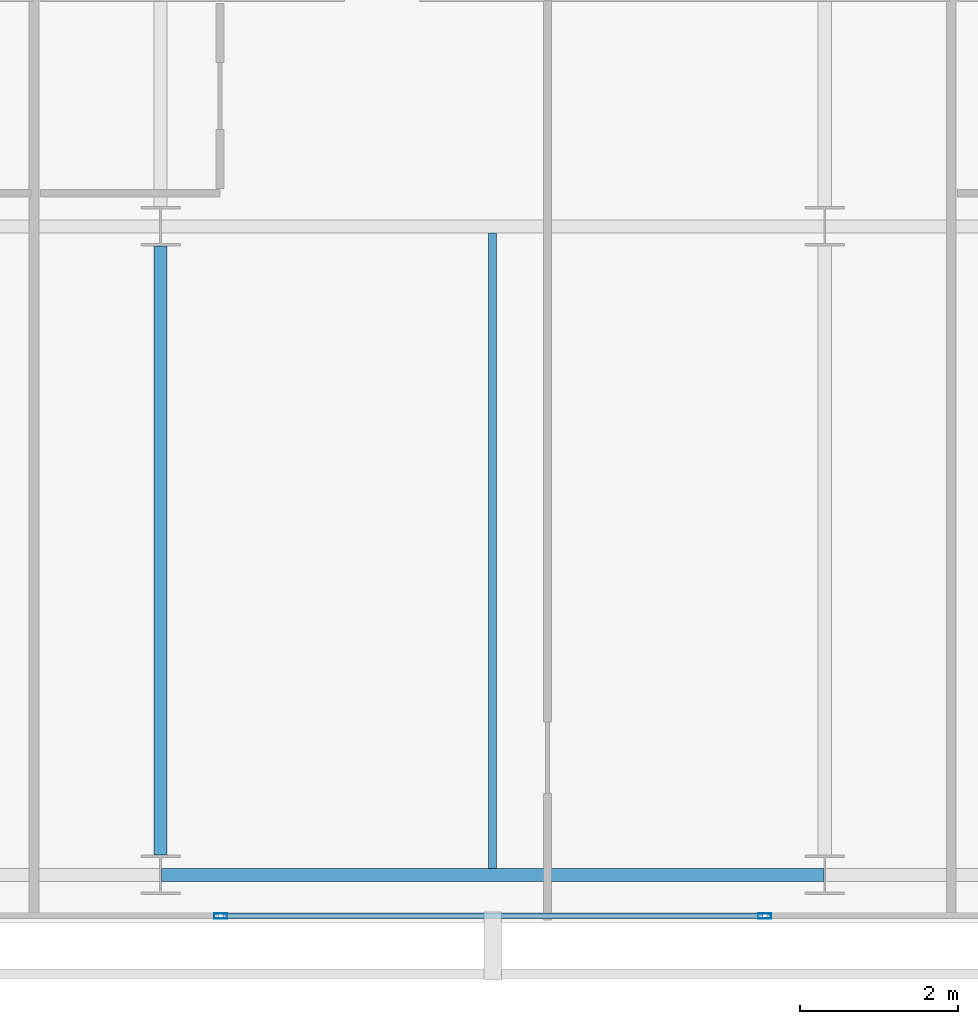
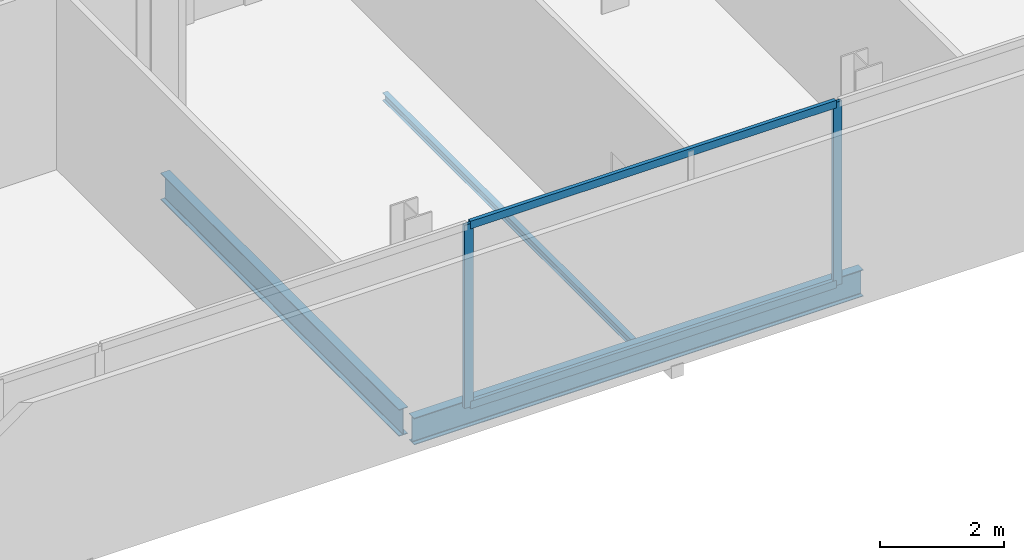
# One storey, part 6 of 26: 4 members, 3 beams, 1 element without a shape of its own.
"""IFC4 building model written with IfcOpenShell, lengths in metres."""

from ifc_helpers import new_model, si_unit, direction, frame, origin, origin_2d, place, context, subcontext, project, spatial, hollow_rectangle, i_section, extrude, material, layer, layer_set, material_profile, profile_set, type_object, element, aggregate, save


model = new_model("IFC4")

# Units and contexts
model_context = context("Model", 3, precision=1e-05, world=origin(), true_north=direction((0.0, 1.0)))
body_context = subcontext(model_context, "Body", "Model", "MODEL_VIEW")
ifc_project = project(units=[si_unit("LENGTHUNIT", "METRE"), si_unit("AREAUNIT", "SQUARE_METRE"), si_unit("VOLUMEUNIT", "CUBIC_METRE"), si_unit("PLANEANGLEUNIT", "RADIAN"), si_unit("MASSUNIT", "GRAM", prefix="KILO")], contexts=[model_context])

# Site, building, storey
site_placement = place(None, origin())
site = spatial("IfcSite", under=ifc_project, at=site_placement, CompositionType="ELEMENT")
building_placement = place(site_placement, origin())
building = spatial("IfcBuilding", under=site, at=building_placement, Name="Maruvema Waterfront Hotel and Observation Tower", CompositionType="ELEMENT")
storey_placement = place(building_placement, frame((0.0, 0.0, 301.0)))
storey = spatial("IfcBuildingStorey", under=building, at=storey_placement, Name="L74", CompositionType="ELEMENT", Elevation=301.0)

# Curtain wall, members
ifc_material_1 = material(Name="Anodised bronze aluminium and solar-control low-E IGU", Category="aluminium")
ifc_layer = layer(ifc_material_1, 0.159912109375, Name="Zone 3 Champagne Inner Thermal Curtain Wall System CW-04")
ifc_layer_set = layer_set([ifc_layer], Name="Anodised bronze aluminium and solar-control low-E IGU")
curtain_wall_type = type_object("IfcCurtainWallType", Name="Zone 3 Champagne Inner Thermal Curtain Wall System CW-04", PredefinedType="USERDEFINED", material=ifc_layer_set)
curtain_wall_placement = place(storey_placement, origin())
curtain_wall = element("IfcCurtainWall", 1, at=curtain_wall_placement, inside=storey, type_object=curtain_wall_type, Name="L74 Curtain Wall CW-L74-S", ObjectType="UNITISED CURTAIN WALL", PredefinedType="USERDEFINED")
ifc_material_2 = material(Name="Anodised architectural bronze aluminium", Category="aluminium")
ifc_material_profile_1 = material_profile(ifc_material_2, hollow_rectangle(XDim=0.070068359375, YDim=0.14990234375, WallThickness=0.00390625, at=origin_2d()), Name="ALU-T70x150")
ifc_profile_set_1 = profile_set([ifc_material_profile_1], Name="Anodised architectural bronze aluminium")
member_type_1 = type_object("IfcMemberType", Name="Curtain Wall Horizontal Transom ALU-T70x150", PredefinedType="USERDEFINED", material=ifc_profile_set_1)
member_1_placement = place(storey_placement, frame((34.389892578125, 9.280029296875, 0.030029296875), z_axis=(1.0, 0.0, 0.0), x_axis=(0.0, 1.0, 0.0)))
member_1 = element("IfcMember", 2, at=member_1_placement, type_object=member_type_1, Name="CW-04 transom 3.1", ObjectType="TRANSOM", PredefinedType="USERDEFINED", context=body_context, shape_type="SweptSolid", body=[
    extrude(hollow_rectangle(XDim=0.070068359375, YDim=0.14990234375, WallThickness=0.00390625, at=origin_2d()), origin(), (0.0, 0.0, 1.0), 6.820068359375),
])
member_2_placement = place(storey_placement, frame((34.389892578125, 9.280029296875, 3.580078125), z_axis=(1.0, 0.0, 0.0), x_axis=(0.0, 1.0, 0.0)))
member_2 = element("IfcMember", 3, at=member_2_placement, type_object=member_type_1, Name="CW-04 transom 3.2", ObjectType="TRANSOM", PredefinedType="USERDEFINED", context=body_context, shape_type="SweptSolid", body=[
    extrude(hollow_rectangle(XDim=0.070068359375, YDim=0.14990234375, WallThickness=0.00390625, at=origin_2d()), origin(), (0.0, 0.0, 1.0), 6.820068359375),
])
ifc_material_3 = material(Name="Anodised architectural bronze aluminium", Category="aluminium")
ifc_material_profile_2 = material_profile(ifc_material_3, hollow_rectangle(XDim=0.06494140625, YDim=0.1650390625, WallThickness=0.00390625, at=origin_2d()), Name="ALU-M65x165")
ifc_profile_set_2 = profile_set([ifc_material_profile_2], Name="Anodised architectural bronze aluminium")
member_type_2 = type_object("IfcMemberType", Name="Curtain Wall Primary Mullion ALU-M65x165", PredefinedType="MULLION", material=ifc_profile_set_2)
member_3_placement = place(storey_placement, frame((34.360107421875, 9.280029296875, 0.0), z_axis=(0.0, 0.0, 1.0), x_axis=(0.0, 1.0, 0.0)))
member_3 = element("IfcMember", 4, at=member_3_placement, type_object=member_type_2, Name="CW-04 mullion 3", PredefinedType="MULLION", context=body_context, shape_type="SweptSolid", body=[
    extrude(hollow_rectangle(XDim=0.06494140625, YDim=0.1650390625, WallThickness=0.00390625, at=origin_2d()), origin(), (0.0, 0.0, 1.0), 3.610107421875),
])
member_4_placement = place(storey_placement, frame((41.239990234375, 9.280029296875, 0.0), z_axis=(0.0, 0.0, 1.0), x_axis=(0.0, 1.0, 0.0)))
member_4 = element("IfcMember", 5, at=member_4_placement, type_object=member_type_2, Name="CW-04 mullion 4", PredefinedType="MULLION", context=body_context, shape_type="SweptSolid", body=[
    extrude(hollow_rectangle(XDim=0.06494140625, YDim=0.1650390625, WallThickness=0.00390625, at=origin_2d()), origin(), (0.0, 0.0, 1.0), 3.610107421875),
])
aggregate(curtain_wall, [member_3, member_4, member_1, member_2])

# Beams
ifc_material_4 = material(Name="Steel ASTM A572 Grade 50", Category="steel")
ifc_material_profile_3 = material_profile(ifc_material_4, i_section(OverallWidth=0.166015625, OverallDepth=0.529052734375, WebThickness=0.009765625, FlangeThickness=0.013671875, FilletRadius=0.014892578125, at=origin_2d()), Name="W530x74.0")
ifc_profile_set_3 = profile_set([ifc_material_profile_3], Name="Steel ASTM A572 Grade 50")
beam_type_1 = type_object("IfcBeamType", Name="Primary Floor Girder W530x74.0", PredefinedType="BEAM", material=ifc_profile_set_3)
beam_1_placement = place(storey_placement, frame((33.611083984375, 9.800048828125, -0.50439453125), z_axis=(1.0, 0.0, 0.0), x_axis=(0.0, 1.0, 0.0)))
element("IfcBeam", 6, at=beam_1_placement, inside=storey, type_object=beam_type_1, Name="L74 Floor Girder EW-02", PredefinedType="BEAM", context=body_context, shape_type="SweptSolid", body=[
    extrude(i_section(OverallWidth=0.166015625, OverallDepth=0.529052734375, WebThickness=0.009765625, FlangeThickness=0.013671875, FilletRadius=0.014892578125, at=origin_2d()), origin(), (0.0, 0.0, 1.0), 8.3779296875),
])
beam_2_placement = place(storey_placement, frame((33.60009765625, 10.050048828125, -0.50439453125), z_axis=(0.0, 1.0, 0.0), x_axis=(-1.0, 0.0, 0.0)))
element("IfcBeam", 7, at=beam_2_placement, inside=storey, type_object=beam_type_1, Name="L74 Floor Girder NS-08", PredefinedType="BEAM", context=body_context, shape_type="SweptSolid", body=[
    extrude(i_section(OverallWidth=0.166015625, OverallDepth=0.529052734375, WebThickness=0.009765625, FlangeThickness=0.013671875, FilletRadius=0.014892578125, at=origin_2d()), origin(), (0.0, 0.0, 1.0), 7.699951171875),
])
ifc_material_5 = material(Name="Steel ASTM A572 Grade 50", Category="steel")
ifc_material_profile_4 = material_profile(ifc_material_5, i_section(OverallWidth=0.10009765625, OverallDepth=0.153076171875, WebThickness=0.005859375, FlangeThickness=0.007080078125, FilletRadius=0.008056640625, at=origin_2d()), Name="W150x18.0")
ifc_profile_set_4 = profile_set([ifc_material_profile_4], Name="Steel ASTM A572 Grade 50")
beam_type_2 = type_object("IfcBeamType", Name="Secondary Floor Joist W150x18.0", PredefinedType="JOIST", material=ifc_profile_set_4)
beam_3_placement = place(storey_placement, frame((37.800048828125, 9.883056640625, -0.31640625), z_axis=(0.0, 1.0, 0.0), x_axis=(-1.0, 0.0, 0.0)))
element("IfcBeam", 8, at=beam_3_placement, inside=storey, type_object=beam_type_2, Name="L74 Secondary Floor Joist JS-05", PredefinedType="JOIST", context=body_context, shape_type="SweptSolid", body=[
    extrude(i_section(OverallWidth=0.10009765625, OverallDepth=0.153076171875, WebThickness=0.005859375, FlangeThickness=0.007080078125, FilletRadius=0.008056640625, at=origin_2d()), origin(), (0.0, 0.0, 1.0), 8.033935546875),
])

save(model, "model.ifc")
